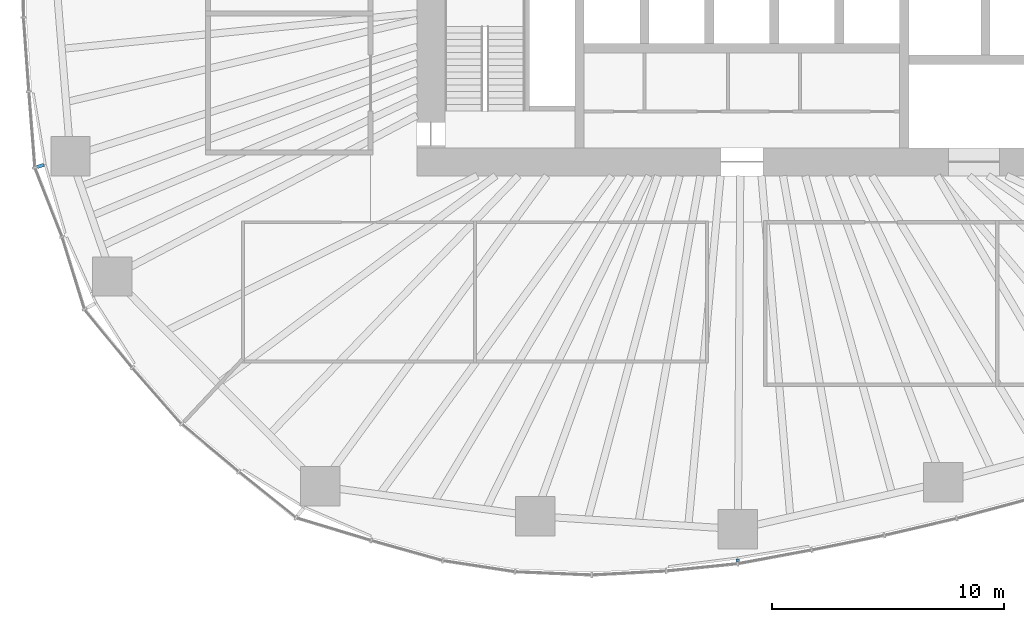
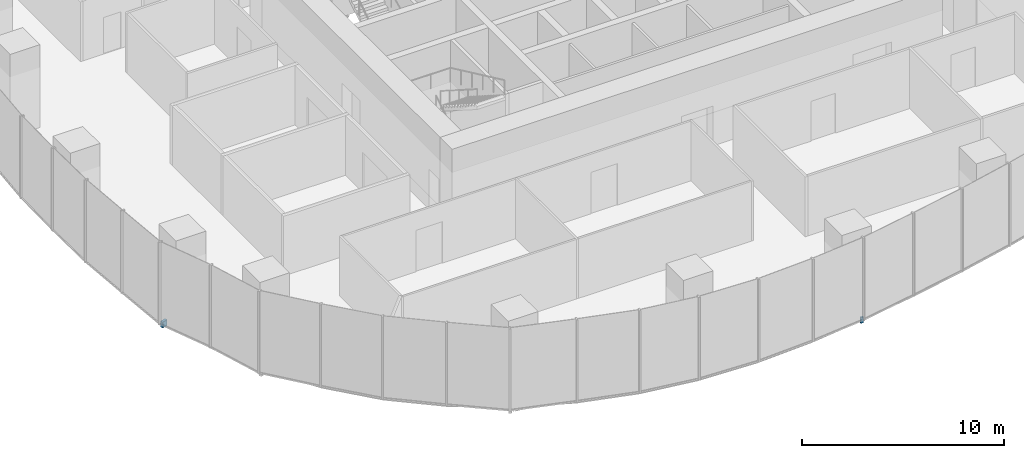
# One storey, part 13 of 20: 2 discrete accessories.
"""IFC4 building model written with IfcOpenShell, lengths in metres."""

import ifcopenshell
import ifcopenshell.guid

model = None  # the IFC model being written
_history = None  # IfcOwnerHistory: only IFC2X3 demands one
_inside = {}  # id of a spatial element -> (the spatial element, [elements in it])
_under = {}  # id of a project, library or spatial element -> (it, [spatial elements below it])
_declared = {}  # id of a project -> (the project, [libraries it declares])
_typed = {}  # id of a type object -> (the type object, [elements of that type])
_made_of = {}  # id of a material, layer set ... -> (it, [elements and type objects made of it])


def new_model(schema):
    """Start an empty IFC model of exactly this schema.

    Asked for "IFC4X3", IfcOpenShell would pick the latest addendum, in which some entities
    have other attributes; the version numbers below select the first issue.
    IFC2X3 requires an IfcOwnerHistory on every rooted entity: one is made here for all.
    """
    global model, _history
    if schema == "IFC4X3":
        model = ifcopenshell.file(schema_version=(4, 3, 0, 0))
    else:
        model = ifcopenshell.file(schema=schema)
    _inside.clear()
    _under.clear()
    _declared.clear()
    _typed.clear()
    _made_of.clear()
    _history = None
    if model.schema == "IFC2X3":
        org = make("IfcOrganization", Name="unknown")
        user = make(
            "IfcPersonAndOrganization",
            ThePerson=make("IfcPerson", FamilyName="unknown"),
            TheOrganization=org,
        )
        app = make(
            "IfcApplication",
            ApplicationDeveloper=org,
            Version="unknown",
            ApplicationFullName="unknown",
            ApplicationIdentifier="unknown",
        )
        _history = make(
            "IfcOwnerHistory",
            OwningUser=user,
            OwningApplication=app,
            ChangeAction="ADDED",
            CreationDate=0,
        )
    return model


def make(cls, **values):
    """One entity of the class cls with the attributes given. An attribute that is None is left unset."""
    return model.create_entity(
        cls, **{name: value for name, value in values.items() if value is not None}
    )


def rooted(cls, **values):
    """An entity with a GlobalId (a new one), such as an element, a storey or a relation."""
    return make(cls, GlobalId=ifcopenshell.guid.new(), OwnerHistory=_history, **values)


def si_unit(unit_type, name, prefix=None):
    """IfcSIUnit, for example si_unit("LENGTHUNIT", "METRE", prefix="MILLI")."""
    return make("IfcSIUnit", UnitType=unit_type, Prefix=prefix, Name=name)


def assignment(units):
    """IfcUnitAssignment: the units of a project."""
    return None if units is None else make("IfcUnitAssignment", Units=units)


def point(xyz):
    """IfcCartesianPoint."""
    return None if xyz is None else make("IfcCartesianPoint", Coordinates=xyz)


def direction(xyz):
    """IfcDirection."""
    return None if xyz is None else make("IfcDirection", DirectionRatios=xyz)


def frame(location, z_axis=None, x_axis=None):
    """IfcAxis2Placement3D, a coordinate frame: its origin and axes. An axis left out is left unset."""
    return make(
        "IfcAxis2Placement3D",
        Location=point(location),
        Axis=direction(z_axis),
        RefDirection=direction(x_axis),
    )


def frame_2d(location, x_axis=None):
    """IfcAxis2Placement2D, a coordinate frame in the plane: its origin and x axis."""
    return make(
        "IfcAxis2Placement2D", Location=point(location), RefDirection=direction(x_axis)
    )


def origin():
    """The frame at (0, 0, 0) with its axes left unset."""
    return frame((0.0, 0.0, 0.0))


def origin_2d():
    """The frame at (0, 0) in the plane with its x axis left unset."""
    return frame_2d((0.0, 0.0))


def place(relative_to, where):
    """IfcLocalPlacement: puts the frame where relative to a parent placement (None: the world)."""
    return make(
        "IfcLocalPlacement", PlacementRelTo=relative_to, RelativePlacement=where
    )


def context(
    kind, dimensions, precision=None, world=None, true_north=None, identifier=None
):
    """IfcGeometricRepresentationContext, for example the 3D "Model" context."""
    return make(
        "IfcGeometricRepresentationContext",
        ContextIdentifier=identifier,
        ContextType=kind,
        CoordinateSpaceDimension=dimensions,
        Precision=precision,
        WorldCoordinateSystem=world,
        TrueNorth=true_north,
    )


def subcontext(parent, identifier, kind, view, scale=None):
    """IfcGeometricRepresentationSubContext, for example "Body" below "Model"."""
    return make(
        "IfcGeometricRepresentationSubContext",
        ContextIdentifier=identifier,
        ContextType=kind,
        ParentContext=parent,
        TargetScale=scale,
        TargetView=view,
    )


def project(units=None, contexts=None):
    """IfcProject with its units and contexts."""
    return rooted(
        "IfcProject",
        Name="project",
        RepresentationContexts=contexts,
        UnitsInContext=assignment(units),
    )


def spatial(cls, under=None, at=None, **own):
    """A site, building, storey or space (cls), placed at a placement, below another one or the project."""
    s = rooted(cls, ObjectPlacement=at, **own)
    if under is not None:
        _under.setdefault(under.id(), (under, []))[1].append(s)
    return s


def profile(cls, at=None, kind="AREA", **sizes):
    """A parametric profile (cls). Its sizes go by their IFC names, for example OverallWidth=200.0."""
    return make(cls, ProfileType=kind, Position=at, **sizes)


def rectangle(**sizes):
    """IfcRectangleProfileDef."""
    return profile("IfcRectangleProfileDef", **sizes)


def extrude(swept, where, along, depth):
    """IfcExtrudedAreaSolid: the profile swept, set in the frame where, extruded along a direction by depth."""
    return make(
        "IfcExtrudedAreaSolid",
        SweptArea=swept,
        Position=where,
        ExtrudedDirection=direction(along),
        Depth=depth,
    )


def shape(context_of_items, identifier, shape_type, items):
    """IfcShapeRepresentation: the items that make up one representation, for example the "Body"."""
    return make(
        "IfcShapeRepresentation",
        ContextOfItems=context_of_items,
        RepresentationIdentifier=identifier,
        RepresentationType=shape_type,
        Items=items,
    )


def material(Name=None, Category=None):
    """IfcMaterial."""
    return make("IfcMaterial", Name=Name, Category=Category)


def made_of(thing, what):
    """Note that an element or type object is made of a material, layer set ...; save() writes the relation."""
    if what is not None:
        _made_of.setdefault(what.id(), (what, []))[1].append(thing)
    return thing


def type_object(cls, material=None, **own):
    """A type object (cls), such as IfcWallType, which elements share."""
    return made_of(rooted(cls, **own), material)


def element(
    cls,
    number,
    at=None,
    inside=None,
    cuts=None,
    type_object=None,
    material=None,
    context=None,
    identifier="Body",
    shape_type=None,
    held_by="IfcProductDefinitionShape",
    body=None,
    shapes=None,
    **own,
):
    """One element of the class cls, such as IfcWall. Its Tag is "e" and its number.

    at: its placement. inside: the storey or other place that contains it. cuts: it is an
    opening in that element (IfcRelVoidsElement). A single representation is given by context,
    identifier, shape_type and body (its items); several are given by shapes. held_by: the class
    of the entity that holds the representations. save() writes the other relations.
    """
    e = rooted(cls, Tag="e%d" % number, ObjectPlacement=at, **own)
    if body is not None:
        shapes = [shape(context, identifier, shape_type, body)]
    if shapes is not None:
        e.Representation = make(held_by, Representations=shapes)
    if inside is not None:
        _inside.setdefault(inside.id(), (inside, []))[1].append(e)
    if cuts is not None:
        rooted(
            "IfcRelVoidsElement", RelatingBuildingElement=cuts, RelatedOpeningElement=e
        )
    if type_object is not None:
        _typed.setdefault(type_object.id(), (type_object, []))[1].append(e)
    return made_of(e, material)


def aggregate(whole, parts):
    """IfcRelAggregates: a whole, such as a stair, and the parts it consists of."""
    return rooted("IfcRelAggregates", RelatingObject=whole, RelatedObjects=parts)


def save(model, path):
    """Write the relations noted so far, then the file.

    IfcRelAggregates (storeys below a building ...), IfcRelContainedInSpatialStructure (elements
    in a storey), IfcRelDefinesByType, IfcRelAssociatesMaterial and IfcRelDeclares: one each for
    every whole, place, type object, material and project.
    """
    for whole, parts in _under.values():
        aggregate(whole, parts)
    for where, things in _inside.values():
        rooted(
            "IfcRelContainedInSpatialStructure",
            RelatedElements=things,
            RelatingStructure=where,
        )
    for kind, things in _typed.values():
        rooted("IfcRelDefinesByType", RelatedObjects=things, RelatingType=kind)
    for what, things in _made_of.values():
        rooted("IfcRelAssociatesMaterial", RelatedObjects=things, RelatingMaterial=what)
    for by, libraries in _declared.values():
        rooted("IfcRelDeclares", RelatingContext=by, RelatedDefinitions=libraries)
    model.write(path)


model = new_model("IFC4")

# Units and contexts
model_context = context("Model", 3, precision=1e-05, world=origin(), true_north=direction((0.0, 1.0)))
body_context = subcontext(model_context, "Body", "Model", "MODEL_VIEW")
ifc_project = project(units=[si_unit("LENGTHUNIT", "METRE"), si_unit("AREAUNIT", "SQUARE_METRE"), si_unit("VOLUMEUNIT", "CUBIC_METRE"), si_unit("PLANEANGLEUNIT", "RADIAN"), si_unit("MASSUNIT", "GRAM", prefix="KILO")], contexts=[model_context])

# Site, building, storey
site_placement = place(None, origin())
site = spatial("IfcSite", under=ifc_project, at=site_placement, CompositionType="ELEMENT")
building_placement = place(site_placement, origin())
building = spatial("IfcBuilding", under=site, at=building_placement, Name="Ghaith Harvest Tower", CompositionType="ELEMENT")
storey_placement = place(building_placement, frame((0.0, 0.0, 85.0)))
storey = spatial("IfcBuildingStorey", under=building, at=storey_placement, Name="L17", CompositionType="ELEMENT", Elevation=85.0)

# Discrete accessories
ifc_material_1 = material(Name="Stainless steel grade 1.4401", Category="steel")
discrete_accessory_type_1 = type_object("IfcDiscreteAccessoryType", Name="CURTAIN WALL BRACKET 315", PredefinedType="BRACKET", material=ifc_material_1)
discrete_accessory_1_placement = place(storey_placement, frame((-30.219482421875, -9.5771484375, -0.25), z_axis=(0.0, 0.0, 1.0), x_axis=(-0.953273219416, -0.302109531701, 0.0)))
element("IfcDiscreteAccessory", 1, at=discrete_accessory_1_placement, inside=storey, type_object=discrete_accessory_type_1, Name="CW-F bracket 1 bay 12 L17", PredefinedType="BRACKET", context=body_context, shape_type="SweptSolid", body=[
    extrude(rectangle(XDim=0.31494140625, YDim=0.14990234375, at=origin_2d()), origin(), (0.0, 0.0, 1.0), 0.35009765625),
])
ifc_material_2 = material(Name="Stainless steel grade 1.4401", Category="steel")
discrete_accessory_type_2 = type_object("IfcDiscreteAccessoryType", Name="CURTAIN WALL BRACKET 95", PredefinedType="BRACKET", material=ifc_material_2)
discrete_accessory_2_placement = place(storey_placement, frame((-0.181884765625, -26.569580078125, -0.25), z_axis=(0.0, 0.0, 1.0), x_axis=(-0.006843747957, -0.999976581283, 0.0)))
element("IfcDiscreteAccessory", 2, at=discrete_accessory_2_placement, inside=storey, type_object=discrete_accessory_type_2, Name="CW-F bracket 1 bay 16 L17", PredefinedType="BRACKET", context=body_context, shape_type="SweptSolid", body=[
    extrude(rectangle(XDim=0.094970703125, YDim=0.14990234375, at=origin_2d()), origin(), (0.0, 0.0, 1.0), 0.35009765625),
])

save(model, "model.ifc")
